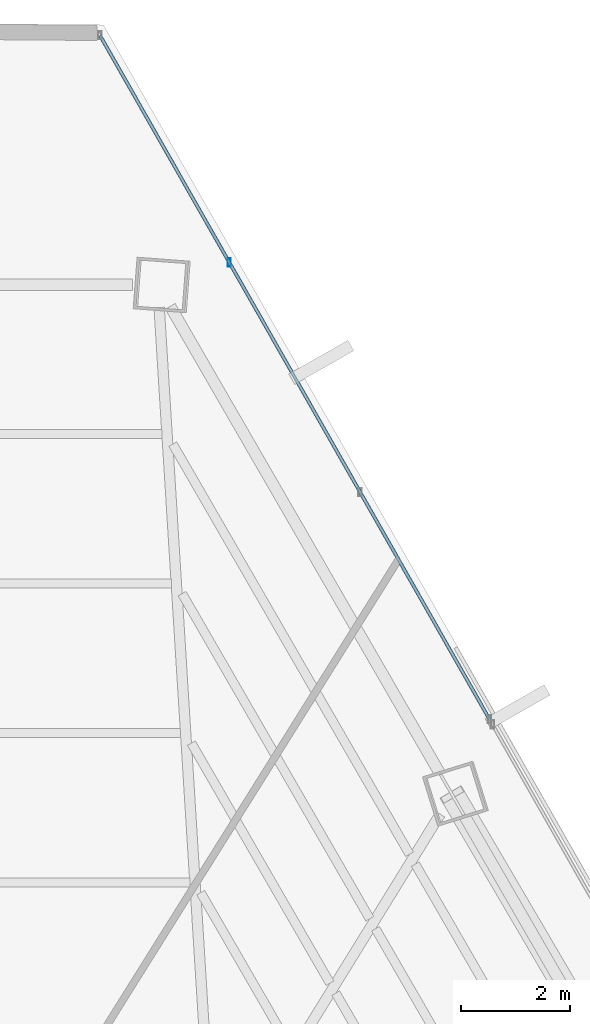
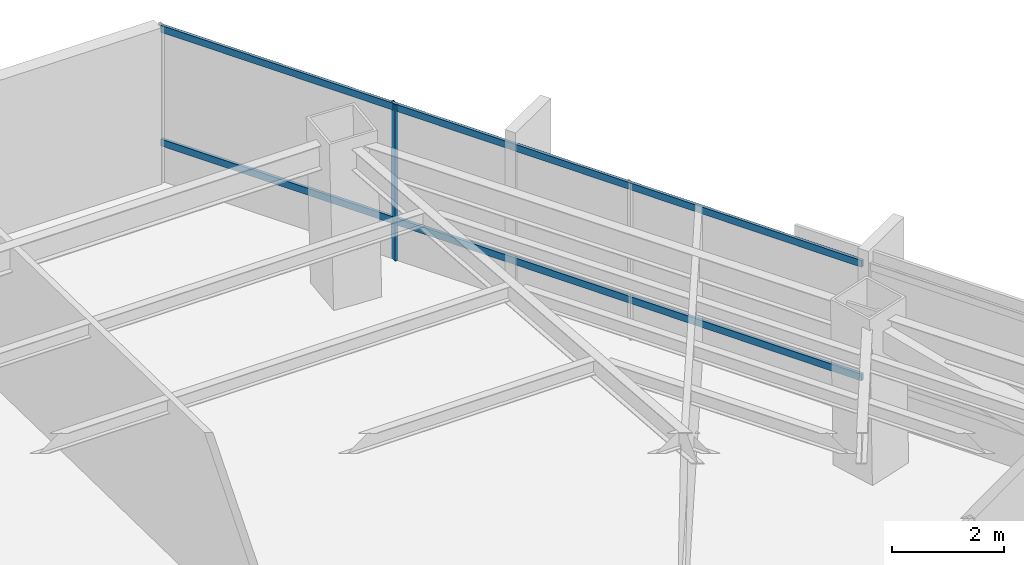
# One storey, part 32 of 39: 3 members, 1 element without a shape of its own.
"""IFC4 building model written with IfcOpenShell, lengths in metres."""

from ifc_helpers import new_model, si_unit, direction, frame, origin, origin_2d, place, context, subcontext, project, spatial, hollow_rectangle, extrude, source, transform, mapped, material, material_profile, profile_set, type_object, type_shapes, element, aggregate, save


model = new_model("IFC4")

# Units and contexts
model_context = context("Model", 3, precision=1e-05, world=origin(), true_north=direction((0.0, 1.0)))
body_context = subcontext(model_context, "Body", "Model", "MODEL_VIEW")
ifc_project = project(units=[si_unit("LENGTHUNIT", "METRE"), si_unit("AREAUNIT", "SQUARE_METRE"), si_unit("VOLUMEUNIT", "CUBIC_METRE"), si_unit("PLANEANGLEUNIT", "RADIAN"), si_unit("MASSUNIT", "GRAM", prefix="KILO")], contexts=[model_context])

# Site, building, storey
site_placement = place(None, origin())
site = spatial("IfcSite", under=ifc_project, at=site_placement, CompositionType="ELEMENT")
building_placement = place(site_placement, origin())
building = spatial("IfcBuilding", under=site, at=building_placement, Name="Caelisora Broadcast Tower", CompositionType="ELEMENT")
storey_placement = place(building_placement, frame((0.0, 0.0, 142.75)))
storey = spatial("IfcBuildingStorey", under=building, at=storey_placement, Name="L37", CompositionType="ELEMENT", Elevation=142.75)

# Curtain wall, members
ifc_material_1 = material(Name="Unitised Aluminium and Low-E Glass Curtain Wall", Category="glass")
curtain_wall_type = type_object("IfcCurtainWallType", Name="CW-Z3", PredefinedType="NOTDEFINED", material=ifc_material_1)
curtain_wall_placement = place(storey_placement, origin())
curtain_wall = element("IfcCurtainWall", 1, at=curtain_wall_placement, inside=storey, type_object=curtain_wall_type, Name="L37 curtain wall CW-Z3", PredefinedType="NOTDEFINED")
ifc_material_2 = material(Name="Aluminium 6063-T6 Anodised Terracotta Bronze", Category="aluminium")
ifc_material_profile_1 = material_profile(ifc_material_2, hollow_rectangle(XDim=0.06005859375, YDim=0.14990234375, WallThickness=0.00341796875, at=origin_2d()), Name="Aluminium 6063-T6 Anodised Terracotta Bronze")
ifc_profile_set_1 = profile_set([ifc_material_profile_1], Name="Aluminium 6063-T6 Anodised Terracotta Bronze")
member_type_1 = type_object("IfcMemberType", Name="CWM-03", PredefinedType="MULLION", material=ifc_profile_set_1)
shared_shape_1 = source(origin(), body_context, "Body", "SweptSolid", [
    extrude(hollow_rectangle(XDim=0.06005859375, YDim=0.14990234375, WallThickness=0.00341796875, at=origin_2d()), origin(), (0.0, 0.0, 1.0), 3.39990234375),
])
type_shapes(member_type_1, [shared_shape_1])
member_1_placement = place(storey_placement, frame((45.789794921875, 46.88818359375, 0.0), z_axis=(0.0, 0.0, 1.0), x_axis=(1.0, 0.0, 0.0)))
member_1 = element("IfcMember", 2, at=member_1_placement, type_object=member_type_1, Name="L37-CW-B01 mullion #1", PredefinedType="MULLION", context=body_context, shape_type="MappedRepresentation", body=[
    mapped(shared_shape_1, transform((0.0, 0.0, 0.0), scale=1.0)),
])
ifc_material_profile_2 = material_profile(ifc_material_2, hollow_rectangle(XDim=0.06005859375, YDim=0.14990234375, WallThickness=0.00341796875, at=origin_2d()), Name="Aluminium 6063-T6 Anodised Terracotta Bronze")
ifc_profile_set_2 = profile_set([ifc_material_profile_2], Name="Aluminium 6063-T6 Anodised Terracotta Bronze")
member_type_2 = type_object("IfcMemberType", Name="CWT-02", PredefinedType="USERDEFINED", material=ifc_profile_set_2)
shared_shape_2 = source(origin(), body_context, "Body", "SweptSolid", [
    extrude(hollow_rectangle(XDim=0.06005859375, YDim=0.14990234375, WallThickness=0.00341796875, at=origin_2d()), origin(), (0.0, 0.0, 1.0), 14.465087890625),
])
type_shapes(member_type_2, [shared_shape_2])
member_2_placement = place(storey_placement, frame((43.41162109375, 51.063720703125, 0.85009765625), z_axis=(0.494911547318, -0.868943358529, 0.0), x_axis=(0.868943358529, 0.494911547318, 0.0)))
member_2 = element("IfcMember", 3, at=member_2_placement, type_object=member_type_2, Name="L37-CW-B01 transom #1", ObjectType="TRANSOM", PredefinedType="USERDEFINED", context=body_context, shape_type="MappedRepresentation", body=[
    mapped(shared_shape_2, transform((0.0, 0.0, 0.0), scale=1.0)),
])
member_3_placement = place(storey_placement, frame((43.41162109375, 51.063720703125, 3.320068359375), z_axis=(0.494911547318, -0.868943358529, 0.0), x_axis=(0.868943358529, 0.494911547318, 0.0)))
member_3 = element("IfcMember", 4, at=member_3_placement, type_object=member_type_2, Name="L37-CW-B01 transom #2", ObjectType="TRANSOM", PredefinedType="USERDEFINED", context=body_context, shape_type="MappedRepresentation", body=[
    mapped(shared_shape_2, transform((0.0, 0.0, 0.0), scale=1.0)),
])
aggregate(curtain_wall, [member_1, member_2, member_3])

save(model, "model.ifc")
